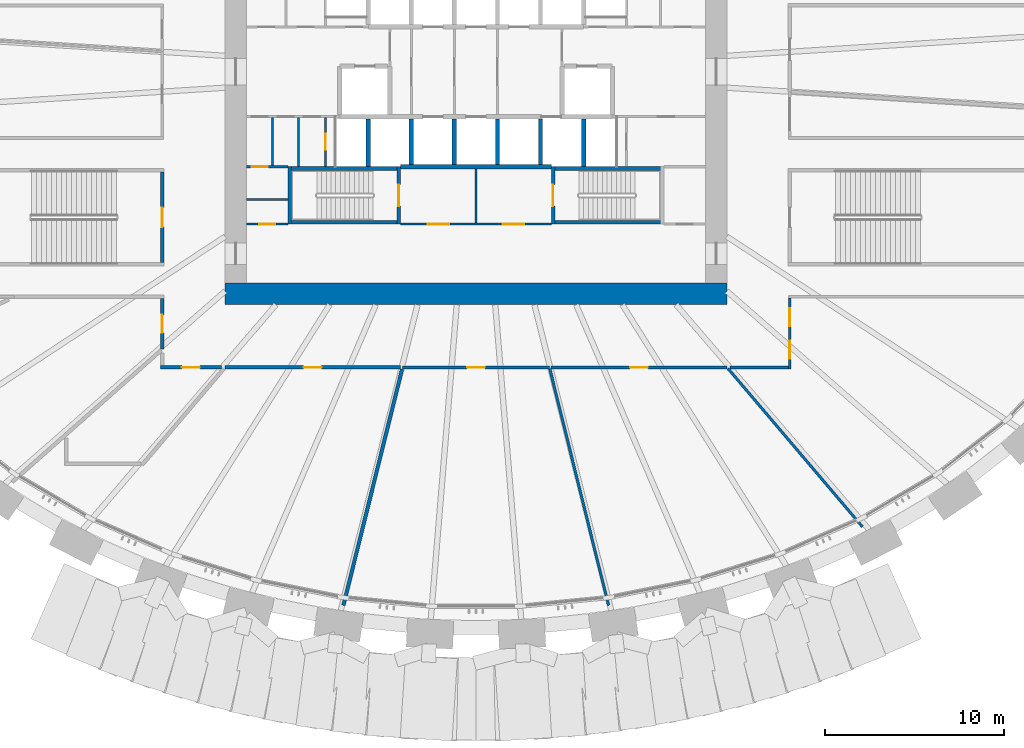
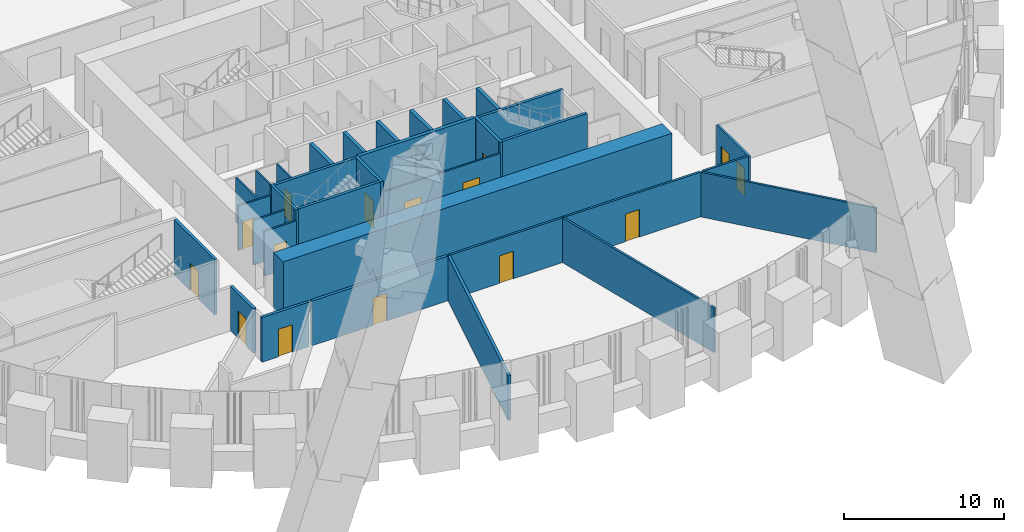
# One storey, part 8 of 23: 34 walls, 15 doors, 15 openings.
"""IFC4 building model written with IfcOpenShell, lengths in metres."""

import ifcopenshell
import ifcopenshell.guid

model = None  # the IFC model being written
_history = None  # IfcOwnerHistory: only IFC2X3 demands one
_inside = {}  # id of a spatial element -> (the spatial element, [elements in it])
_under = {}  # id of a project, library or spatial element -> (it, [spatial elements below it])
_declared = {}  # id of a project -> (the project, [libraries it declares])
_typed = {}  # id of a type object -> (the type object, [elements of that type])
_made_of = {}  # id of a material, layer set ... -> (it, [elements and type objects made of it])


def new_model(schema):
    """Start an empty IFC model of exactly this schema.

    Asked for "IFC4X3", IfcOpenShell would pick the latest addendum, in which some entities
    have other attributes; the version numbers below select the first issue.
    IFC2X3 requires an IfcOwnerHistory on every rooted entity: one is made here for all.
    """
    global model, _history
    if schema == "IFC4X3":
        model = ifcopenshell.file(schema_version=(4, 3, 0, 0))
    else:
        model = ifcopenshell.file(schema=schema)
    _inside.clear()
    _under.clear()
    _declared.clear()
    _typed.clear()
    _made_of.clear()
    _history = None
    if model.schema == "IFC2X3":
        org = make("IfcOrganization", Name="unknown")
        user = make(
            "IfcPersonAndOrganization",
            ThePerson=make("IfcPerson", FamilyName="unknown"),
            TheOrganization=org,
        )
        app = make(
            "IfcApplication",
            ApplicationDeveloper=org,
            Version="unknown",
            ApplicationFullName="unknown",
            ApplicationIdentifier="unknown",
        )
        _history = make(
            "IfcOwnerHistory",
            OwningUser=user,
            OwningApplication=app,
            ChangeAction="ADDED",
            CreationDate=0,
        )
    return model


def make(cls, **values):
    """One entity of the class cls with the attributes given. An attribute that is None is left unset."""
    return model.create_entity(
        cls, **{name: value for name, value in values.items() if value is not None}
    )


def rooted(cls, **values):
    """An entity with a GlobalId (a new one), such as an element, a storey or a relation."""
    return make(cls, GlobalId=ifcopenshell.guid.new(), OwnerHistory=_history, **values)


def si_unit(unit_type, name, prefix=None):
    """IfcSIUnit, for example si_unit("LENGTHUNIT", "METRE", prefix="MILLI")."""
    return make("IfcSIUnit", UnitType=unit_type, Prefix=prefix, Name=name)


def assignment(units):
    """IfcUnitAssignment: the units of a project."""
    return None if units is None else make("IfcUnitAssignment", Units=units)


def point(xyz):
    """IfcCartesianPoint."""
    return None if xyz is None else make("IfcCartesianPoint", Coordinates=xyz)


def direction(xyz):
    """IfcDirection."""
    return None if xyz is None else make("IfcDirection", DirectionRatios=xyz)


def frame(location, z_axis=None, x_axis=None):
    """IfcAxis2Placement3D, a coordinate frame: its origin and axes. An axis left out is left unset."""
    return make(
        "IfcAxis2Placement3D",
        Location=point(location),
        Axis=direction(z_axis),
        RefDirection=direction(x_axis),
    )


def frame_2d(location, x_axis=None):
    """IfcAxis2Placement2D, a coordinate frame in the plane: its origin and x axis."""
    return make(
        "IfcAxis2Placement2D", Location=point(location), RefDirection=direction(x_axis)
    )


def origin():
    """The frame at (0, 0, 0) with its axes left unset."""
    return frame((0.0, 0.0, 0.0))


def place(relative_to, where):
    """IfcLocalPlacement: puts the frame where relative to a parent placement (None: the world)."""
    return make(
        "IfcLocalPlacement", PlacementRelTo=relative_to, RelativePlacement=where
    )


def context(
    kind, dimensions, precision=None, world=None, true_north=None, identifier=None
):
    """IfcGeometricRepresentationContext, for example the 3D "Model" context."""
    return make(
        "IfcGeometricRepresentationContext",
        ContextIdentifier=identifier,
        ContextType=kind,
        CoordinateSpaceDimension=dimensions,
        Precision=precision,
        WorldCoordinateSystem=world,
        TrueNorth=true_north,
    )


def subcontext(parent, identifier, kind, view, scale=None):
    """IfcGeometricRepresentationSubContext, for example "Body" below "Model"."""
    return make(
        "IfcGeometricRepresentationSubContext",
        ContextIdentifier=identifier,
        ContextType=kind,
        ParentContext=parent,
        TargetScale=scale,
        TargetView=view,
    )


def project(units=None, contexts=None):
    """IfcProject with its units and contexts."""
    return rooted(
        "IfcProject",
        Name="project",
        RepresentationContexts=contexts,
        UnitsInContext=assignment(units),
    )


def spatial(cls, under=None, at=None, **own):
    """A site, building, storey or space (cls), placed at a placement, below another one or the project."""
    s = rooted(cls, ObjectPlacement=at, **own)
    if under is not None:
        _under.setdefault(under.id(), (under, []))[1].append(s)
    return s


def profile(cls, at=None, kind="AREA", **sizes):
    """A parametric profile (cls). Its sizes go by their IFC names, for example OverallWidth=200.0."""
    return make(cls, ProfileType=kind, Position=at, **sizes)


def rectangle(**sizes):
    """IfcRectangleProfileDef."""
    return profile("IfcRectangleProfileDef", **sizes)


def extrude(swept, where, along, depth):
    """IfcExtrudedAreaSolid: the profile swept, set in the frame where, extruded along a direction by depth."""
    return make(
        "IfcExtrudedAreaSolid",
        SweptArea=swept,
        Position=where,
        ExtrudedDirection=direction(along),
        Depth=depth,
    )


def shape(context_of_items, identifier, shape_type, items):
    """IfcShapeRepresentation: the items that make up one representation, for example the "Body"."""
    return make(
        "IfcShapeRepresentation",
        ContextOfItems=context_of_items,
        RepresentationIdentifier=identifier,
        RepresentationType=shape_type,
        Items=items,
    )


def source(mapping_origin, context_of_items, identifier, shape_type, items):
    """IfcRepresentationMap: a shape defined once, which mapped items show again and again."""
    return make(
        "IfcRepresentationMap",
        MappingOrigin=mapping_origin,
        MappedRepresentation=shape(context_of_items, identifier, shape_type, items),
    )


def transform(
    local_origin,
    x_axis=None,
    y_axis=None,
    z_axis=None,
    scale=None,
    scale2=None,
    scale3=None,
    uniform=True,
):
    """IfcCartesianTransformationOperator3D, or its non-uniform kind. x_axis, y_axis, z_axis: its Axis1, 2, 3."""
    if uniform:
        return make(
            "IfcCartesianTransformationOperator3D",
            Axis1=direction(x_axis),
            Axis2=direction(y_axis),
            LocalOrigin=point(local_origin),
            Scale=scale,
            Axis3=direction(z_axis),
        )
    return make(
        "IfcCartesianTransformationOperator3DnonUniform",
        Axis1=direction(x_axis),
        Axis2=direction(y_axis),
        LocalOrigin=point(local_origin),
        Scale=scale,
        Axis3=direction(z_axis),
        Scale2=scale2,
        Scale3=scale3,
    )


def mapped(mapping_source, mapping_target):
    """IfcMappedItem: shows the shape of a source again, moved by a transform."""
    return make(
        "IfcMappedItem", MappingSource=mapping_source, MappingTarget=mapping_target
    )


def material(Name=None, Category=None):
    """IfcMaterial."""
    return make("IfcMaterial", Name=Name, Category=Category)


def layer(
    of_material, thickness, ventilated=None, Name=None, Category=None, Priority=None
):
    """IfcMaterialLayer: one layer of a wall or slab, of a material (None: an air gap)."""
    return make(
        "IfcMaterialLayer",
        Material=of_material,
        LayerThickness=thickness,
        IsVentilated=ventilated,
        Name=Name,
        Category=Category,
        Priority=Priority,
    )


def layer_set(layers, Name=None):
    """IfcMaterialLayerSet."""
    return make("IfcMaterialLayerSet", MaterialLayers=layers, LayerSetName=Name)


def made_of(thing, what):
    """Note that an element or type object is made of a material, layer set ...; save() writes the relation."""
    if what is not None:
        _made_of.setdefault(what.id(), (what, []))[1].append(thing)
    return thing


def type_object(cls, material=None, **own):
    """A type object (cls), such as IfcWallType, which elements share."""
    return made_of(rooted(cls, **own), material)


def element(
    cls,
    number,
    at=None,
    inside=None,
    cuts=None,
    type_object=None,
    material=None,
    context=None,
    identifier="Body",
    shape_type=None,
    held_by="IfcProductDefinitionShape",
    body=None,
    shapes=None,
    **own,
):
    """One element of the class cls, such as IfcWall. Its Tag is "e" and its number.

    at: its placement. inside: the storey or other place that contains it. cuts: it is an
    opening in that element (IfcRelVoidsElement). A single representation is given by context,
    identifier, shape_type and body (its items); several are given by shapes. held_by: the class
    of the entity that holds the representations. save() writes the other relations.
    """
    e = rooted(cls, Tag="e%d" % number, ObjectPlacement=at, **own)
    if body is not None:
        shapes = [shape(context, identifier, shape_type, body)]
    if shapes is not None:
        e.Representation = make(held_by, Representations=shapes)
    if inside is not None:
        _inside.setdefault(inside.id(), (inside, []))[1].append(e)
    if cuts is not None:
        rooted(
            "IfcRelVoidsElement", RelatingBuildingElement=cuts, RelatedOpeningElement=e
        )
    if type_object is not None:
        _typed.setdefault(type_object.id(), (type_object, []))[1].append(e)
    return made_of(e, material)


def fill(opening, filler):
    """IfcRelFillsElement: the door or window that sits in an opening."""
    return rooted(
        "IfcRelFillsElement",
        RelatingOpeningElement=opening,
        RelatedBuildingElement=filler,
    )


def aggregate(whole, parts):
    """IfcRelAggregates: a whole, such as a stair, and the parts it consists of."""
    return rooted("IfcRelAggregates", RelatingObject=whole, RelatedObjects=parts)


def save(model, path):
    """Write the relations noted so far, then the file.

    IfcRelAggregates (storeys below a building ...), IfcRelContainedInSpatialStructure (elements
    in a storey), IfcRelDefinesByType, IfcRelAssociatesMaterial and IfcRelDeclares: one each for
    every whole, place, type object, material and project.
    """
    for whole, parts in _under.values():
        aggregate(whole, parts)
    for where, things in _inside.values():
        rooted(
            "IfcRelContainedInSpatialStructure",
            RelatedElements=things,
            RelatingStructure=where,
        )
    for kind, things in _typed.values():
        rooted("IfcRelDefinesByType", RelatedObjects=things, RelatingType=kind)
    for what, things in _made_of.values():
        rooted("IfcRelAssociatesMaterial", RelatedObjects=things, RelatingMaterial=what)
    for by, libraries in _declared.values():
        rooted("IfcRelDeclares", RelatingContext=by, RelatedDefinitions=libraries)
    model.write(path)


model = new_model("IFC4")

# Units and contexts
model_context = context("Model", 3, precision=1e-05, world=origin(), true_north=direction((0.0, 1.0)))
body_context = subcontext(model_context, "Body", "Model", "MODEL_VIEW")
ifc_project = project(units=[si_unit("LENGTHUNIT", "METRE"), si_unit("AREAUNIT", "SQUARE_METRE"), si_unit("VOLUMEUNIT", "CUBIC_METRE"), si_unit("PLANEANGLEUNIT", "RADIAN"), si_unit("MASSUNIT", "GRAM", prefix="KILO")], contexts=[model_context])

# Site, building, storey
site_placement = place(None, origin())
site = spatial("IfcSite", under=ifc_project, at=site_placement, CompositionType="ELEMENT")
building_placement = place(site_placement, origin())
building = spatial("IfcBuilding", under=site, at=building_placement, Name="Embergate Tower", CompositionType="ELEMENT")
storey_placement = place(building_placement, frame((0.0, 0.0, 29.0)))
storey = spatial("IfcBuildingStorey", under=building, at=storey_placement, Name="L03", CompositionType="ELEMENT", Elevation=29.0)

# Walls
ifc_material_1 = material(Name="Concrete C80", Category="concrete")
ifc_layer_1 = layer(ifc_material_1, 1.199951171875)
ifc_layer_set_1 = layer_set([ifc_layer_1], Name="Concrete C80")
wall_type_1 = type_object("IfcWallType", Name="Core outer wall C80 1200", PredefinedType="SHEAR", material=ifc_layer_set_1)
shared_shape_1 = source(origin(), body_context, "Body", "SweptSolid", [
    extrude(rectangle(XDim=28.0, YDim=1.199951171875, at=frame_2d((14.0, 0.0))), origin(), (0.0, 0.0, 1.0), 4.5),
])
wall_1_placement = place(storey_placement, frame((-14.0, -12.39990234375, -0.300048828125), z_axis=(0.0, 0.0, 1.0), x_axis=(1.0, 0.0, 0.0)))
element("IfcWall", 1, at=wall_1_placement, inside=storey, type_object=wall_type_1, Name="CW-L03-S", PredefinedType="SHEAR", context=body_context, shape_type="MappedRepresentation", body=[
    mapped(shared_shape_1, transform((0.0, 0.0, 0.0))),
])
ifc_material_2 = material(Name="Concrete C50", Category="concrete")
ifc_layer_2 = layer(ifc_material_2, 0.25)
ifc_layer_set_2 = layer_set([ifc_layer_2], Name="Concrete C50")
wall_type_2 = type_object("IfcWallType", Name="Hoistway wall reinforced concrete 250", PredefinedType="SHEAR", material=ifc_layer_set_2)
shared_shape_2 = source(origin(), body_context, "Body", "SweptSolid", [
    extrude(rectangle(XDim=2.675048828125, YDim=0.25, at=frame_2d((1.33740234375, 0.0))), origin(), (0.0, 0.0, 1.0), 4.199951171875),
])
for number, where, z_axis, x_axis, name in (
    (2, (-6.0, -5.300048828125, 0.0), (0.0, 0.0, 1.0), (0.0, 1.0, 0.0), "HW-1 wall"),
    (3, (6.0, -5.300048828125, 0.0), (0.0, 0.0, 1.0), (0.0, 1.0, 0.0), "HW-1 wall"),
):
    element("IfcWall", number, at=place(storey_placement, frame(where, z_axis=z_axis, x_axis=x_axis)), inside=storey, type_object=wall_type_2, Name=name, PredefinedType="SHEAR", context=body_context, shape_type="MappedRepresentation", body=[
        mapped(shared_shape_2, transform((0.0, 0.0, 0.0))),
    ])
ifc_layer_3 = layer(ifc_material_2, 0.199951171875)
ifc_layer_set_3 = layer_set([ifc_layer_3], Name="Concrete C50")
wall_type_3 = type_object("IfcWallType", Name="Stair enclosure wall reinforced concrete 250", PredefinedType="SHEAR", material=ifc_layer_set_3)
shared_shape_3 = source(origin(), body_context, "Body", "SweptSolid", [
    extrude(rectangle(XDim=6.300048828125, YDim=0.199951171875, at=frame_2d((3.14990234375, 0.0))), origin(), (0.0, 0.0, 1.0), 4.199951171875),
])
for number, where, z_axis, x_axis, name in (
    (4, (-10.5, -5.39990234375, 0.0), (0.0, 0.0, 1.0), (1.0, 0.0, 0.0), "SE-1 wall"),
    (5, (4.199951171875, -5.39990234375, 0.0), (0.0, 0.0, 1.0), (1.0, 0.0, 0.0), "SE-1 wall"),
    (6, (-10.5, -8.39990234375, 0.0), (0.0, 0.0, 1.0), (1.0, 0.0, 0.0), "SE-1 wall"),
    (7, (4.199951171875, -8.39990234375, 0.0), (0.0, 0.0, 1.0), (1.0, 0.0, 0.0), "SE-1 wall"),
):
    element("IfcWall", number, at=place(storey_placement, frame(where, z_axis=z_axis, x_axis=x_axis)), inside=storey, type_object=wall_type_3, Name=name, PredefinedType="SHEAR", context=body_context, shape_type="MappedRepresentation", body=[
        mapped(shared_shape_3, transform((0.0, 0.0, 0.0))),
    ])

# Wall, opening, door
ifc_material_3 = material(Name="Core partition blockwork 120")
ifc_layer_4 = layer(ifc_material_3, 0.1201171875)
ifc_layer_set_4 = layer_set([ifc_layer_4], Name="Core partition blockwork 120")
wall_type_4 = type_object("IfcWallType", Name="Core partition blockwork 120", PredefinedType="PARTITIONING", material=ifc_layer_set_4)
shared_shape_4 = source(origin(), body_context, "Body", "SweptSolid", [
    extrude(rectangle(XDim=2.739990234375, YDim=0.1201171875, at=frame_2d((1.3701171875, 0.0))), origin(), (0.0, 0.0, 1.0), 3.39990234375),
])
wall_2_placement = place(storey_placement, frame((-8.39990234375, -2.56005859375, 0.0), z_axis=(0.0, 0.0, 1.0), x_axis=(0.0, -1.0, 0.0)))
wall_2 = element("IfcWall", 8, at=wall_2_placement, inside=storey, type_object=wall_type_4, Name="IP-3 wall", PredefinedType="PARTITIONING", context=body_context, shape_type="MappedRepresentation", body=[
    mapped(shared_shape_4, transform((0.0, 0.0, 0.0))),
])
shared_shape_5 = source(origin(), body_context, "Body", "SweptSolid", [
    extrude(rectangle(XDim=0.89990234375, YDim=2.10009765625, at=frame_2d((0.449951171875, 1.050048828125))), frame((0.0, 0.070068359375, 0.0), z_axis=(0.0, -1.0, 0.0), x_axis=(1.0, 0.0, 0.0)), (0.0, 0.0, 1.0), 0.14013671875),
])
opening_1_placement = place(wall_2_placement, frame((0.889892578125, 0.0, 0.0)))
opening_1 = element("IfcOpeningElement", 9, at=opening_1_placement, cuts=wall_2, Name="Opening ID-1", PredefinedType="OPENING", context=body_context, shape_type="MappedRepresentation", body=[
    mapped(shared_shape_5, transform((0.0, 0.0, 0.0))),
])
ifc_material_4 = material(Name="Interior door 900")
door_type_1 = type_object("IfcDoorType", Name="Interior door 900", OperationType="SINGLE_SWING_LEFT", PredefinedType="DOOR", material=ifc_material_4)
shared_shape_6 = source(origin(), body_context, "Body", "SweptSolid", [
    extrude(rectangle(XDim=0.89990234375, YDim=2.10009765625, at=frame_2d((0.449951171875, 1.050048828125))), frame((0.0, 0.02490234375, 0.0), z_axis=(0.0, -1.0, 0.0), x_axis=(1.0, 0.0, 0.0)), (0.0, 0.0, 1.0), 0.050048828125),
])
door_1_placement = place(opening_1_placement, origin())
door_1 = element("IfcDoor", 10, at=door_1_placement, inside=storey, type_object=door_type_1, Name="ID-1 door", OperationType="SINGLE_SWING_RIGHT", OverallHeight=2.10009765625, OverallWidth=0.89990234375, PredefinedType="DOOR", context=body_context, shape_type="MappedRepresentation", body=[
    mapped(shared_shape_6, transform((0.0, 0.0, 0.0))),
])
fill(opening_1, door_1)

# Walls
wall_3_placement = place(storey_placement, frame((-9.89599609375, -5.300048828125, 0.0), z_axis=(0.0, 0.0, 1.0), x_axis=(0.0, 1.0, 0.0)))
element("IfcWall", 11, at=wall_3_placement, inside=storey, type_object=wall_type_4, Name="IP-3 wall", PredefinedType="PARTITIONING", context=body_context, shape_type="MappedRepresentation", body=[
    mapped(shared_shape_4, transform((0.0, 0.0, 0.0))),
])
shared_shape_7 = source(origin(), body_context, "Body", "SweptSolid", [
    extrude(rectangle(XDim=2.550048828125, YDim=0.25, at=frame_2d((1.27490234375, 0.0))), origin(), (0.0, 0.0, 1.0), 4.199951171875),
])
for number, where, z_axis, x_axis, name in (
    (12, (-3.60009765625, -5.175048828125, 0.0), (0.0, 0.0, 1.0), (0.0, 1.0, 0.0), "HW-1 wall"),
    (13, (-1.199951171875, -5.175048828125, 0.0), (0.0, 0.0, 1.0), (0.0, 1.0, 0.0), "HW-1 wall"),
    (14, (1.199951171875, -5.175048828125, 0.0), (0.0, 0.0, 1.0), (0.0, 1.0, 0.0), "HW-1 wall"),
    (15, (3.60009765625, -5.175048828125, 0.0), (0.0, 0.0, 1.0), (0.0, 1.0, 0.0), "HW-1 wall"),
):
    element("IfcWall", number, at=place(storey_placement, frame(where, z_axis=z_axis, x_axis=x_axis)), inside=storey, type_object=wall_type_2, Name=name, PredefinedType="SHEAR", context=body_context, shape_type="MappedRepresentation", body=[
        mapped(shared_shape_7, transform((0.0, 0.0, 0.0))),
    ])
shared_shape_8 = source(origin(), body_context, "Body", "SweptSolid", [
    extrude(rectangle(XDim=8.39990234375, YDim=0.25, at=frame_2d((4.199951171875, 0.0))), origin(), (0.0, 0.0, 1.0), 4.199951171875),
])
wall_4_placement = place(storey_placement, frame((-4.199951171875, -5.300048828125, 0.0), z_axis=(0.0, 0.0, 1.0), x_axis=(1.0, 0.0, 0.0)))
element("IfcWall", 16, at=wall_4_placement, inside=storey, type_object=wall_type_2, Name="HW-1 wall", PredefinedType="SHEAR", context=body_context, shape_type="MappedRepresentation", body=[
    mapped(shared_shape_8, transform((0.0, 0.0, 0.0))),
])

# Wall, opening, door
shared_shape_9 = source(origin(), body_context, "Body", "SweptSolid", [
    extrude(rectangle(XDim=3.199951171875, YDim=0.199951171875, at=frame_2d((1.60009765625, 0.0))), origin(), (0.0, 0.0, 1.0), 4.199951171875),
])
wall_5_placement = place(storey_placement, frame((-4.300048828125, -8.5, 0.0), z_axis=(0.0, 0.0, 1.0), x_axis=(0.0, 1.0, 0.0)))
wall_5 = element("IfcWall", 17, at=wall_5_placement, inside=storey, type_object=wall_type_3, Name="SE-1 wall", PredefinedType="SHEAR", context=body_context, shape_type="MappedRepresentation", body=[
    mapped(shared_shape_9, transform((0.0, 0.0, 0.0))),
])
shared_shape_10 = source(origin(), body_context, "Body", "SweptSolid", [
    extrude(rectangle(XDim=1.199951171875, YDim=2.10009765625, at=frame_2d((0.60009765625, 1.050048828125))), frame((0.0, 0.10986328125, 0.0), z_axis=(0.0, -1.0, 0.0), x_axis=(1.0, 0.0, 0.0)), (0.0, 0.0, 1.0), 0.219970703125),
])
opening_2_placement = place(wall_5_placement, frame((1.0, 0.0, 0.0)))
opening_2 = element("IfcOpeningElement", 18, at=opening_2_placement, cuts=wall_5, Name="Opening IF-2", PredefinedType="OPENING", context=body_context, shape_type="MappedRepresentation", body=[
    mapped(shared_shape_10, transform((0.0, 0.0, 0.0))),
])
ifc_material_5 = material(Name="Stair enclosure door 1200")
door_type_2 = type_object("IfcDoorType", Name="Stair enclosure door 1200", OperationType="SINGLE_SWING_LEFT", PredefinedType="DOOR", material=ifc_material_5)
shared_shape_11 = source(origin(), body_context, "Body", "SweptSolid", [
    extrude(rectangle(XDim=1.199951171875, YDim=2.10009765625, at=frame_2d((0.60009765625, 1.050048828125))), frame((0.0, 0.02490234375, 0.0), z_axis=(0.0, -1.0, 0.0), x_axis=(1.0, 0.0, 0.0)), (0.0, 0.0, 1.0), 0.050048828125),
])
door_2_placement = place(opening_2_placement, origin())
door_2 = element("IfcDoor", 19, at=door_2_placement, inside=storey, type_object=door_type_2, Name="IF-2 door", OperationType="SINGLE_SWING_LEFT", OverallHeight=2.10009765625, OverallWidth=1.199951171875, PredefinedType="DOOR", context=body_context, shape_type="MappedRepresentation", body=[
    mapped(shared_shape_11, transform((0.0, 0.0, 0.0))),
])
fill(opening_2, door_2)

# Wall
wall_6_placement = place(storey_placement, frame((-10.39990234375, -5.300048828125, 0.0), z_axis=(0.0, 0.0, 1.0), x_axis=(0.0, -1.0, 0.0)))
element("IfcWall", 20, at=wall_6_placement, inside=storey, type_object=wall_type_3, Name="SE-1 wall", PredefinedType="SHEAR", context=body_context, shape_type="MappedRepresentation", body=[
    mapped(shared_shape_9, transform((0.0, 0.0, 0.0))),
])

# Wall, opening, door
wall_7_placement = place(storey_placement, frame((4.300048828125, -5.300048828125, 0.0), z_axis=(0.0, 0.0, 1.0), x_axis=(0.0, -1.0, 0.0)))
wall_7 = element("IfcWall", 21, at=wall_7_placement, inside=storey, type_object=wall_type_3, Name="SE-1 wall", PredefinedType="SHEAR", context=body_context, shape_type="MappedRepresentation", body=[
    mapped(shared_shape_9, transform((0.0, 0.0, 0.0))),
])
opening_3_placement = place(wall_7_placement, frame((1.0, 0.0, 0.0)))
opening_3 = element("IfcOpeningElement", 22, at=opening_3_placement, cuts=wall_7, Name="Opening IF-2", PredefinedType="OPENING", context=body_context, shape_type="MappedRepresentation", body=[
    mapped(shared_shape_10, transform((0.0, 0.0, 0.0))),
])
door_3_placement = place(opening_3_placement, origin())
door_3 = element("IfcDoor", 23, at=door_3_placement, inside=storey, type_object=door_type_2, Name="IF-2 door", OperationType="SINGLE_SWING_RIGHT", OverallHeight=2.10009765625, OverallWidth=1.199951171875, PredefinedType="DOOR", context=body_context, shape_type="MappedRepresentation", body=[
    mapped(shared_shape_11, transform((0.0, 0.0, 0.0))),
])
fill(opening_3, door_3)

# Wall
shared_shape_12 = source(origin(), body_context, "Body", "SweptSolid", [
    extrude(rectangle(XDim=3.014892578125, YDim=0.1201171875, at=frame_2d((1.50732421875, 0.0))), origin(), (0.0, 0.0, 1.0), 3.39990234375),
])
wall_8_placement = place(storey_placement, frame((0.0, -8.43994140625, 0.0), z_axis=(0.0, 0.0, 1.0), x_axis=(0.0, 1.0, 0.0)))
element("IfcWall", 24, at=wall_8_placement, inside=storey, type_object=wall_type_4, Name="IP-3 wall", PredefinedType="PARTITIONING", context=body_context, shape_type="MappedRepresentation", body=[
    mapped(shared_shape_12, transform((0.0, 0.0, 0.0))),
])

# Wall, openings, doors
shared_shape_13 = source(origin(), body_context, "Body", "SweptSolid", [
    extrude(rectangle(XDim=8.39990234375, YDim=0.1201171875, at=frame_2d((4.199951171875, 0.0))), origin(), (0.0, 0.0, 1.0), 3.39990234375),
])
wall_9_placement = place(storey_placement, frame((-4.199951171875, -8.5, 0.0), z_axis=(0.0, 0.0, 1.0), x_axis=(1.0, 0.0, 0.0)))
wall_9 = element("IfcWall", 25, at=wall_9_placement, inside=storey, type_object=wall_type_4, Name="IP-3 wall", PredefinedType="PARTITIONING", context=body_context, shape_type="MappedRepresentation", body=[
    mapped(shared_shape_13, transform((0.0, 0.0, 0.0))),
])
shared_shape_14 = source(origin(), body_context, "Body", "SweptSolid", [
    extrude(rectangle(XDim=1.199951171875, YDim=2.10009765625, at=frame_2d((0.60009765625, 1.050048828125))), frame((0.0, 0.070068359375, 0.0), z_axis=(0.0, -1.0, 0.0), x_axis=(1.0, 0.0, 0.0)), (0.0, 0.0, 1.0), 0.14013671875),
])
opening_4_placement = place(wall_9_placement, frame((1.5, 0.0, 0.0)))
opening_4 = element("IfcOpeningElement", 26, at=opening_4_placement, cuts=wall_9, Name="Opening IF-3f", PredefinedType="OPENING", context=body_context, shape_type="MappedRepresentation", body=[
    mapped(shared_shape_14, transform((0.0, 0.0, 0.0))),
])
opening_5_placement = place(wall_9_placement, frame((5.699951171875, 0.0, 0.0)))
opening_5 = element("IfcOpeningElement", 27, at=opening_5_placement, cuts=wall_9, Name="Opening IF-3f", PredefinedType="OPENING", context=body_context, shape_type="MappedRepresentation", body=[
    mapped(shared_shape_14, transform((0.0, 0.0, 0.0))),
])
ifc_material_6 = material(Name="Lobby fire door pair 1200")
door_type_3 = type_object("IfcDoorType", Name="Lobby fire door pair 1200", OperationType="DOUBLE_DOOR_SINGLE_SWING", PredefinedType="DOOR", material=ifc_material_6)
door_4_placement = place(opening_4_placement, origin())
door_4 = element("IfcDoor", 28, at=door_4_placement, inside=storey, type_object=door_type_3, Name="IF-3 door", OperationType="DOUBLE_DOOR_SINGLE_SWING", OverallHeight=2.10009765625, OverallWidth=1.199951171875, PredefinedType="DOOR", context=body_context, shape_type="MappedRepresentation", body=[
    mapped(shared_shape_11, transform((0.0, 0.0, 0.0))),
])
fill(opening_4, door_4)
door_5_placement = place(opening_5_placement, origin())
door_5 = element("IfcDoor", 29, at=door_5_placement, inside=storey, type_object=door_type_3, Name="IF-3 door", OperationType="DOUBLE_DOOR_SINGLE_SWING", OverallHeight=2.10009765625, OverallWidth=1.199951171875, PredefinedType="DOOR", context=body_context, shape_type="MappedRepresentation", body=[
    mapped(shared_shape_11, transform((0.0, 0.0, 0.0))),
])
fill(opening_5, door_5)

# Wall, opening, door
shared_shape_15 = source(origin(), body_context, "Body", "SweptSolid", [
    extrude(rectangle(XDim=2.300048828125, YDim=0.1201171875, at=frame_2d((1.14990234375, 0.0))), origin(), (0.0, 0.0, 1.0), 3.39990234375),
])
wall_10_placement = place(storey_placement, frame((-10.5, -8.5, 0.0), z_axis=(0.0, 0.0, 1.0), x_axis=(-1.0, 0.0, 0.0)))
wall_10 = element("IfcWall", 30, at=wall_10_placement, inside=storey, type_object=wall_type_4, Name="IP-3 wall", PredefinedType="PARTITIONING", context=body_context, shape_type="MappedRepresentation", body=[
    mapped(shared_shape_15, transform((0.0, 0.0, 0.0))),
])
opening_6_placement = place(wall_10_placement, frame((0.699951171875, 0.0, 0.0)))
opening_6 = element("IfcOpeningElement", 31, at=opening_6_placement, cuts=wall_10, Name="Opening ID-1", PredefinedType="OPENING", context=body_context, shape_type="MappedRepresentation", body=[
    mapped(shared_shape_5, transform((0.0, 0.0, 0.0))),
])
door_6_placement = place(opening_6_placement, origin())
door_6 = element("IfcDoor", 32, at=door_6_placement, inside=storey, type_object=door_type_1, Name="ID-1 door", OperationType="SINGLE_SWING_LEFT", OverallHeight=2.10009765625, OverallWidth=0.89990234375, PredefinedType="DOOR", context=body_context, shape_type="MappedRepresentation", body=[
    mapped(shared_shape_6, transform((0.0, 0.0, 0.0))),
])
fill(opening_6, door_6)

wall_11_placement = place(storey_placement, frame((-12.800048828125, -5.300048828125, 0.0), z_axis=(0.0, 0.0, 1.0), x_axis=(1.0, 0.0, 0.0)))
wall_11 = element("IfcWall", 33, at=wall_11_placement, inside=storey, type_object=wall_type_4, Name="IP-3 wall", PredefinedType="PARTITIONING", context=body_context, shape_type="MappedRepresentation", body=[
    mapped(shared_shape_15, transform((0.0, 0.0, 0.0))),
])
opening_7_placement = place(wall_11_placement, frame((0.27587890625, 0.0, 0.0)))
opening_7 = element("IfcOpeningElement", 34, at=opening_7_placement, cuts=wall_11, Name="Opening ID-1", PredefinedType="OPENING", context=body_context, shape_type="MappedRepresentation", body=[
    mapped(shared_shape_5, transform((0.0, 0.0, 0.0))),
])
door_7_placement = place(opening_7_placement, origin())
door_7 = element("IfcDoor", 35, at=door_7_placement, inside=storey, type_object=door_type_1, Name="ID-1 door", OperationType="SINGLE_SWING_LEFT", OverallHeight=2.10009765625, OverallWidth=0.89990234375, PredefinedType="DOOR", context=body_context, shape_type="MappedRepresentation", body=[
    mapped(shared_shape_6, transform((0.0, 0.0, 0.0))),
])
fill(opening_7, door_7)

# Walls
wall_12_placement = place(storey_placement, frame((-10.5, -7.1240234375, 0.0), z_axis=(0.0, 0.0, 1.0), x_axis=(-1.0, 0.0, 0.0)))
element("IfcWall", 36, at=wall_12_placement, inside=storey, type_object=wall_type_4, Name="IP-3 wall", PredefinedType="PARTITIONING", context=body_context, shape_type="MappedRepresentation", body=[
    mapped(shared_shape_15, transform((0.0, 0.0, 0.0))),
])
shared_shape_16 = source(origin(), body_context, "Body", "SweptSolid", [
    extrude(rectangle(XDim=2.679931640625, YDim=0.1201171875, at=frame_2d((1.33984375, 0.0))), origin(), (0.0, 0.0, 1.0), 3.39990234375),
])
wall_13_placement = place(storey_placement, frame((-11.347900390625, -5.239990234375, 0.0), z_axis=(0.0, 0.0, 1.0), x_axis=(0.0, 1.0, 0.0)))
element("IfcWall", 37, at=wall_13_placement, inside=storey, type_object=wall_type_4, Name="IP-3 wall", PredefinedType="PARTITIONING", context=body_context, shape_type="MappedRepresentation", body=[
    mapped(shared_shape_16, transform((0.0, 0.0, 0.0))),
])

# Wall, opening, door
ifc_material_7 = material(Name="Concrete C40", Category="concrete")
ifc_layer_5 = layer(ifc_material_7, 0.199951171875)
ifc_layer_set_5 = layer_set([ifc_layer_5], Name="Concrete C40")
wall_type_5 = type_object("IfcWallType", Name="Stair enclosure wall RC 200", PredefinedType="STANDARD", material=ifc_layer_set_5)
shared_shape_17 = source(origin(), body_context, "Body", "SweptSolid", [
    extrude(rectangle(XDim=5.0498046875, YDim=0.199951171875, at=frame_2d((2.52490234375, 0.0))), origin(), (0.0, 0.0, 1.0), 4.199951171875),
])
wall_14_placement = place(storey_placement, frame((-17.5, -10.64990234375, 0.0), z_axis=(0.0, 0.0, 1.0), x_axis=(0.0, 1.0, 0.0)))
wall_14 = element("IfcWall", 38, at=wall_14_placement, inside=storey, type_object=wall_type_5, Name="Stair wall 020", PredefinedType="STANDARD", context=body_context, shape_type="MappedRepresentation", body=[
    mapped(shared_shape_17, transform((0.0, 0.0, 0.0))),
])
shared_shape_18 = source(origin(), body_context, "Body", "SweptSolid", [
    extrude(rectangle(XDim=1.10009765625, YDim=2.10009765625, at=frame_2d((0.550048828125, 1.050048828125))), frame((0.0, 0.10986328125, 0.0), z_axis=(0.0, -1.0, 0.0), x_axis=(1.0, 0.0, 0.0)), (0.0, 0.0, 1.0), 0.219970703125),
])
opening_8_placement = place(wall_14_placement, frame((1.97509765625, 0.0, 0.0)))
opening_8 = element("IfcOpeningElement", 39, at=opening_8_placement, cuts=wall_14, Name="Opening DS-085", PredefinedType="OPENING", context=body_context, shape_type="MappedRepresentation", body=[
    mapped(shared_shape_18, transform((0.0, 0.0, 0.0))),
])
ifc_material_8 = material(Name="Steel fire door leaf", Category="steel")
door_type_4 = type_object("IfcDoorType", Name="Fire door class B 1100x2100", OperationType="SINGLE_SWING_LEFT", PredefinedType="DOOR", material=ifc_material_8)
shared_shape_19 = source(origin(), body_context, "Body", "SweptSolid", [
    extrude(rectangle(XDim=1.10009765625, YDim=2.10009765625, at=frame_2d((0.550048828125, 1.050048828125))), frame((0.0, 0.02490234375, 0.0), z_axis=(0.0, -1.0, 0.0), x_axis=(1.0, 0.0, 0.0)), (0.0, 0.0, 1.0), 0.050048828125),
])
door_8_placement = place(opening_8_placement, origin())
door_8 = element("IfcDoor", 40, at=door_8_placement, inside=storey, type_object=door_type_4, Name="Door to Exit stair enclosure", OperationType="SINGLE_SWING_LEFT", OverallHeight=2.10009765625, OverallWidth=1.10009765625, PredefinedType="DOOR", context=body_context, shape_type="MappedRepresentation", body=[
    mapped(shared_shape_19, transform((0.0, 0.0, 0.0))),
])
fill(opening_8, door_8)

ifc_material_9 = material(Name="Blockwork, plastered", Category="masonry")
ifc_layer_6 = layer(ifc_material_9, 0.199951171875)
ifc_layer_set_6 = layer_set([ifc_layer_6], Name="Blockwork, plastered")
wall_type_6 = type_object("IfcWallType", Name="Partition wall 200 block", PredefinedType="PARTITIONING", material=ifc_layer_set_6)
shared_shape_20 = source(origin(), body_context, "Body", "SweptSolid", [
    extrude(rectangle(XDim=2.83203125, YDim=0.199951171875, at=frame_2d((1.416015625, 0.0))), origin(), (0.0, 0.0, 1.0), 3.39990234375),
])
wall_15_placement = place(storey_placement, frame((-17.5, -15.48193359375, 0.0), z_axis=(0.0, 0.0, 1.0), x_axis=(0.0, 1.0, 0.0)))
wall_15 = element("IfcWall", 41, at=wall_15_placement, inside=storey, type_object=wall_type_6, Name="Partition 019", PredefinedType="PARTITIONING", context=body_context, shape_type="MappedRepresentation", body=[
    mapped(shared_shape_20, transform((0.0, 0.0, 0.0))),
])
shared_shape_21 = source(origin(), body_context, "Body", "SweptSolid", [
    extrude(rectangle(XDim=1.0, YDim=2.10009765625, at=frame_2d((0.5, 1.050048828125))), frame((0.0, 0.10986328125, 0.0), z_axis=(0.0, -1.0, 0.0), x_axis=(1.0, 0.0, 0.0)), (0.0, 0.0, 1.0), 0.219970703125),
])
opening_9_placement = place(wall_15_placement, frame((0.916015625, 0.0, 0.0)))
opening_9 = element("IfcOpeningElement", 42, at=opening_9_placement, cuts=wall_15, Name="Opening DS-071", PredefinedType="OPENING", context=body_context, shape_type="MappedRepresentation", body=[
    mapped(shared_shape_21, transform((0.0, 0.0, 0.0))),
])
ifc_material_10 = material(Name="Timber door leaf, steel frame", Category="steel")
door_type_5 = type_object("IfcDoorType", Name="Single door 1000x2100", OperationType="SINGLE_SWING_LEFT", PredefinedType="DOOR", material=ifc_material_10)
shared_shape_22 = source(origin(), body_context, "Body", "SweptSolid", [
    extrude(rectangle(XDim=1.0, YDim=2.10009765625, at=frame_2d((0.5, 1.050048828125))), frame((0.0, 0.02490234375, 0.0), z_axis=(0.0, -1.0, 0.0), x_axis=(1.0, 0.0, 0.0)), (0.0, 0.0, 1.0), 0.050048828125),
])
door_9_placement = place(opening_9_placement, origin())
door_9 = element("IfcDoor", 43, at=door_9_placement, inside=storey, type_object=door_type_5, Name="Door to Public WC", OperationType="SINGLE_SWING_LEFT", OverallHeight=2.10009765625, OverallWidth=1.0, PredefinedType="DOOR", context=body_context, shape_type="MappedRepresentation", body=[
    mapped(shared_shape_22, transform((0.0, 0.0, 0.0))),
])
fill(opening_9, door_9)

shared_shape_23 = source(origin(), body_context, "Body", "SweptSolid", [
    extrude(rectangle(XDim=3.38818359375, YDim=0.199951171875, at=frame_2d((1.694091796875, 0.0))), origin(), (0.0, 0.0, 1.0), 3.39990234375),
])
wall_16_placement = place(storey_placement, frame((-14.2119140625, -16.5, 0.0), z_axis=(0.0, 0.0, 1.0), x_axis=(-1.0, 0.0, 0.0)))
wall_16 = element("IfcWall", 44, at=wall_16_placement, inside=storey, type_object=wall_type_6, Name="Partition 032", PredefinedType="PARTITIONING", context=body_context, shape_type="MappedRepresentation", body=[
    mapped(shared_shape_23, transform((0.0, 0.0, 0.0))),
])
opening_10_placement = place(wall_16_placement, frame((1.194091796875, 0.0, 0.0)))
opening_10 = element("IfcOpeningElement", 45, at=opening_10_placement, cuts=wall_16, Name="Opening DS-072", PredefinedType="OPENING", context=body_context, shape_type="MappedRepresentation", body=[
    mapped(shared_shape_21, transform((0.0, 0.0, 0.0))),
])
door_10_placement = place(opening_10_placement, origin())
door_10 = element("IfcDoor", 46, at=door_10_placement, inside=storey, type_object=door_type_5, Name="Door to Accessible WC", OperationType="SINGLE_SWING_LEFT", OverallHeight=2.10009765625, OverallWidth=1.0, PredefinedType="DOOR", context=body_context, shape_type="MappedRepresentation", body=[
    mapped(shared_shape_22, transform((0.0, 0.0, 0.0))),
])
fill(opening_10, door_10)

shared_shape_24 = source(origin(), body_context, "Body", "SweptSolid", [
    extrude(rectangle(XDim=9.802978515625, YDim=0.199951171875, at=frame_2d((4.9013671875, 0.0))), origin(), (0.0, 0.0, 1.0), 3.39990234375),
])
wall_17_placement = place(storey_placement, frame((-4.208984375, -16.5, 0.0), z_axis=(0.0, 0.0, 1.0), x_axis=(-1.0, 0.0, 0.0)))
wall_17 = element("IfcWall", 47, at=wall_17_placement, inside=storey, type_object=wall_type_6, Name="Partition 033", PredefinedType="PARTITIONING", context=body_context, shape_type="MappedRepresentation", body=[
    mapped(shared_shape_24, transform((0.0, 0.0, 0.0))),
])
opening_11_placement = place(wall_17_placement, frame((4.402099609375, 0.0, 0.0)))
opening_11 = element("IfcOpeningElement", 48, at=opening_11_placement, cuts=wall_17, Name="Opening DS-073", PredefinedType="OPENING", context=body_context, shape_type="MappedRepresentation", body=[
    mapped(shared_shape_21, transform((0.0, 0.0, 0.0))),
])
door_11_placement = place(opening_11_placement, origin())
door_11 = element("IfcDoor", 49, at=door_11_placement, inside=storey, type_object=door_type_5, Name="Door to Conference store", OperationType="SINGLE_SWING_LEFT", OverallHeight=2.10009765625, OverallWidth=1.0, PredefinedType="DOOR", context=body_context, shape_type="MappedRepresentation", body=[
    mapped(shared_shape_22, transform((0.0, 0.0, 0.0))),
])
fill(opening_11, door_11)

# Walls
shared_shape_25 = source(origin(), body_context, "Body", "SweptSolid", [
    extrude(rectangle(XDim=13.578369140625, YDim=0.199951171875, at=frame_2d((6.7890625, 0.0))), origin(), (0.0, 0.0, 1.0), 3.39990234375),
])
wall_18_placement = place(storey_placement, frame((-4.123046875, -16.596923828125, 0.0), z_axis=(0.0, 0.0, 1.0), x_axis=(-0.24104192734, -0.97051470327, 0.0)))
element("IfcWall", 50, at=wall_18_placement, inside=storey, type_object=wall_type_6, Name="Partition 034", PredefinedType="PARTITIONING", context=body_context, shape_type="MappedRepresentation", body=[
    mapped(shared_shape_25, transform((0.0, 0.0, 0.0))),
])
ifc_material_11 = material(Name="Plasterboard on steel stud", Category="steel")
ifc_layer_7 = layer(ifc_material_11, 0.14990234375)
ifc_layer_set_7 = layer_set([ifc_layer_7], Name="Plasterboard on steel stud")
wall_type_7 = type_object("IfcWallType", Name="Partition wall 150 board", PredefinedType="PARTITIONING", material=ifc_layer_set_7)
shared_shape_26 = source(origin(), body_context, "Body", "SweptSolid", [
    extrude(rectangle(XDim=13.60302734375, YDim=0.14990234375, at=frame_2d((6.801513671875, 0.0))), origin(), (0.0, 0.0, 1.0), 3.39990234375),
])
wall_19_placement = place(storey_placement, frame((4.116943359375, -16.572998046875, 0.0), z_axis=(0.0, 0.0, 1.0), x_axis=(0.24105308827, -0.970511931218, 0.0)))
element("IfcWall", 51, at=wall_19_placement, inside=storey, type_object=wall_type_7, Name="Partition 038", PredefinedType="PARTITIONING", context=body_context, shape_type="MappedRepresentation", body=[
    mapped(shared_shape_26, transform((0.0, 0.0, 0.0))),
])

# Wall, opening, door
shared_shape_27 = source(origin(), body_context, "Body", "SweptSolid", [
    extrude(rectangle(XDim=8.1982421875, YDim=0.14990234375, at=frame_2d((4.09912109375, 0.0))), origin(), (0.0, 0.0, 1.0), 3.39990234375),
])
wall_20_placement = place(storey_placement, frame((4.09912109375, -16.5, 0.0), z_axis=(0.0, 0.0, 1.0), x_axis=(-1.0, 0.0, 0.0)))
wall_20 = element("IfcWall", 52, at=wall_20_placement, inside=storey, type_object=wall_type_7, Name="Partition 037", PredefinedType="PARTITIONING", context=body_context, shape_type="MappedRepresentation", body=[
    mapped(shared_shape_27, transform((0.0, 0.0, 0.0))),
])
shared_shape_28 = source(origin(), body_context, "Body", "SweptSolid", [
    extrude(rectangle(XDim=1.0, YDim=2.10009765625, at=frame_2d((0.5, 1.050048828125))), frame((0.0, 0.0849609375, 0.0), z_axis=(0.0, -1.0, 0.0), x_axis=(1.0, 0.0, 0.0)), (0.0, 0.0, 1.0), 0.169921875),
])
opening_12_placement = place(wall_20_placement, frame((3.59912109375, 0.0, 0.0)))
opening_12 = element("IfcOpeningElement", 53, at=opening_12_placement, cuts=wall_20, Name="Opening DS-074", PredefinedType="OPENING", context=body_context, shape_type="MappedRepresentation", body=[
    mapped(shared_shape_28, transform((0.0, 0.0, 0.0))),
])
door_12_placement = place(opening_12_placement, origin())
door_12 = element("IfcDoor", 54, at=door_12_placement, inside=storey, type_object=door_type_5, Name="Door to Conference store", OperationType="SINGLE_SWING_LEFT", OverallHeight=2.10009765625, OverallWidth=1.0, PredefinedType="DOOR", context=body_context, shape_type="MappedRepresentation", body=[
    mapped(shared_shape_22, transform((0.0, 0.0, 0.0))),
])
fill(opening_12, door_12)

shared_shape_29 = source(origin(), body_context, "Body", "SweptSolid", [
    extrude(rectangle(XDim=9.8330078125, YDim=0.14990234375, at=frame_2d((4.91650390625, 0.0))), origin(), (0.0, 0.0, 1.0), 3.39990234375),
])
wall_21_placement = place(storey_placement, frame((14.011962890625, -16.5, 0.0), z_axis=(0.0, 0.0, 1.0), x_axis=(-1.0, 0.0, 0.0)))
wall_21 = element("IfcWall", 55, at=wall_21_placement, inside=storey, type_object=wall_type_7, Name="Partition 041", PredefinedType="PARTITIONING", context=body_context, shape_type="MappedRepresentation", body=[
    mapped(shared_shape_29, transform((0.0, 0.0, 0.0))),
])
opening_13_placement = place(wall_21_placement, frame((4.4169921875, 0.0, 0.0)))
opening_13 = element("IfcOpeningElement", 56, at=opening_13_placement, cuts=wall_21, Name="Opening DS-075", PredefinedType="OPENING", context=body_context, shape_type="MappedRepresentation", body=[
    mapped(shared_shape_28, transform((0.0, 0.0, 0.0))),
])
door_13_placement = place(opening_13_placement, origin())
door_13 = element("IfcDoor", 57, at=door_13_placement, inside=storey, type_object=door_type_5, Name="Door to Interpreters' office", OperationType="SINGLE_SWING_LEFT", OverallHeight=2.10009765625, OverallWidth=1.0, PredefinedType="DOOR", context=body_context, shape_type="MappedRepresentation", body=[
    mapped(shared_shape_22, transform((0.0, 0.0, 0.0))),
])
fill(opening_13, door_13)

# Walls
shared_shape_30 = source(origin(), body_context, "Body", "SweptSolid", [
    extrude(rectangle(XDim=11.589111328125, YDim=0.14990234375, at=frame_2d((5.79443359375, 0.0))), origin(), (0.0, 0.0, 1.0), 3.39990234375),
])
wall_22_placement = place(storey_placement, frame((14.06103515625, -16.556884765625, 0.0), z_axis=(0.0, 0.0, 1.0), x_axis=(0.647241677519, -0.762284862031, 0.0)))
element("IfcWall", 58, at=wall_22_placement, inside=storey, type_object=wall_type_7, Name="Partition 042", PredefinedType="PARTITIONING", context=body_context, shape_type="MappedRepresentation", body=[
    mapped(shared_shape_30, transform((0.0, 0.0, 0.0))),
])
shared_shape_31 = source(origin(), body_context, "Body", "SweptSolid", [
    extrude(rectangle(XDim=3.262939453125, YDim=0.14990234375, at=frame_2d((1.63134765625, 0.0))), origin(), (0.0, 0.0, 1.0), 3.39990234375),
])
wall_23_placement = place(storey_placement, frame((17.425048828125, -16.5, 0.0), z_axis=(0.0, 0.0, 1.0), x_axis=(-1.0, 0.0, 0.0)))
element("IfcWall", 59, at=wall_23_placement, inside=storey, type_object=wall_type_7, Name="Partition 043", PredefinedType="PARTITIONING", context=body_context, shape_type="MappedRepresentation", body=[
    mapped(shared_shape_31, transform((0.0, 0.0, 0.0))),
])

# Wall, openings, doors
shared_shape_32 = source(origin(), body_context, "Body", "SweptSolid", [
    extrude(rectangle(XDim=3.949951171875, YDim=0.14990234375, at=frame_2d((1.97509765625, 0.0))), origin(), (0.0, 0.0, 1.0), 3.39990234375),
])
wall_24_placement = place(storey_placement, frame((17.5, -12.625, 0.0), z_axis=(0.0, 0.0, 1.0), x_axis=(0.0, -1.0, 0.0)))
wall_24 = element("IfcWall", 60, at=wall_24_placement, inside=storey, type_object=wall_type_7, Name="Partition 044", PredefinedType="PARTITIONING", context=body_context, shape_type="MappedRepresentation", body=[
    mapped(shared_shape_32, transform((0.0, 0.0, 0.0))),
])
opening_14_placement = place(wall_24_placement, frame((0.56591796875, 0.0, 0.0)))
opening_14 = element("IfcOpeningElement", 61, at=opening_14_placement, cuts=wall_24, Name="Opening DS-076", PredefinedType="OPENING", context=body_context, shape_type="MappedRepresentation", body=[
    mapped(shared_shape_28, transform((0.0, 0.0, 0.0))),
])
opening_15_placement = place(wall_24_placement, frame((2.383056640625, 0.0, 0.0)))
opening_15 = element("IfcOpeningElement", 62, at=opening_15_placement, cuts=wall_24, Name="Opening DS-077", PredefinedType="OPENING", context=body_context, shape_type="MappedRepresentation", body=[
    mapped(shared_shape_28, transform((0.0, 0.0, 0.0))),
])
door_14_placement = place(opening_14_placement, origin())
door_14 = element("IfcDoor", 63, at=door_14_placement, inside=storey, type_object=door_type_5, Name="Door to Auditorium", OperationType="SINGLE_SWING_LEFT", OverallHeight=2.10009765625, OverallWidth=1.0, PredefinedType="DOOR", context=body_context, shape_type="MappedRepresentation", body=[
    mapped(shared_shape_22, transform((0.0, 0.0, 0.0))),
])
fill(opening_14, door_14)
door_15_placement = place(opening_15_placement, origin())
door_15 = element("IfcDoor", 64, at=door_15_placement, inside=storey, type_object=door_type_5, Name="Door to Auditorium", OperationType="SINGLE_SWING_LEFT", OverallHeight=2.10009765625, OverallWidth=1.0, PredefinedType="DOOR", context=body_context, shape_type="MappedRepresentation", body=[
    mapped(shared_shape_22, transform((0.0, 0.0, 0.0))),
])
fill(opening_15, door_15)

save(model, "model.ifc")
